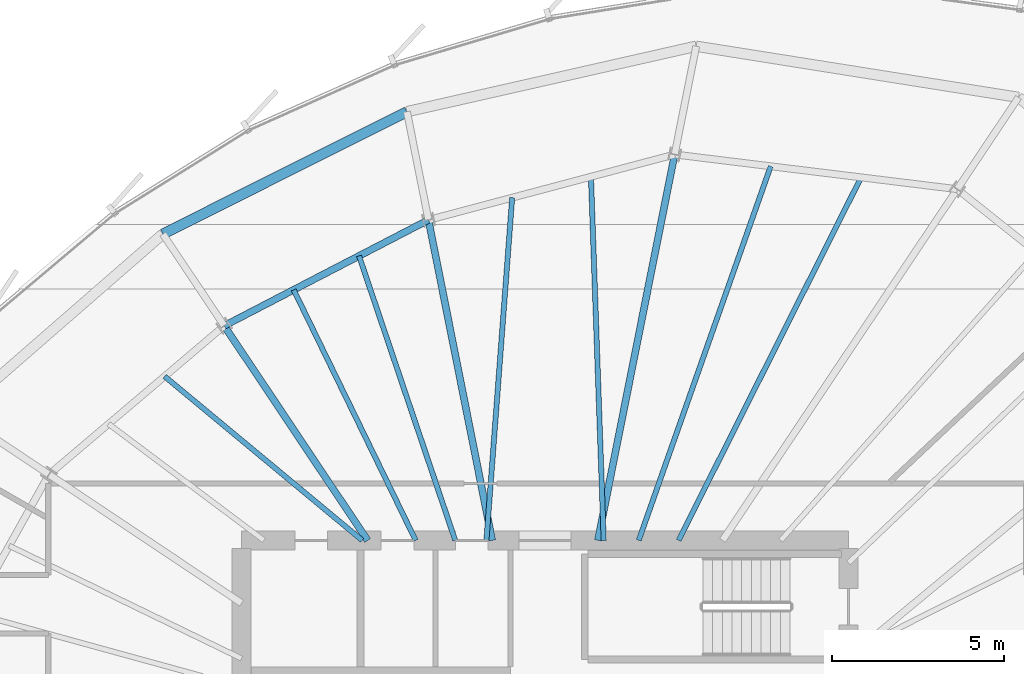
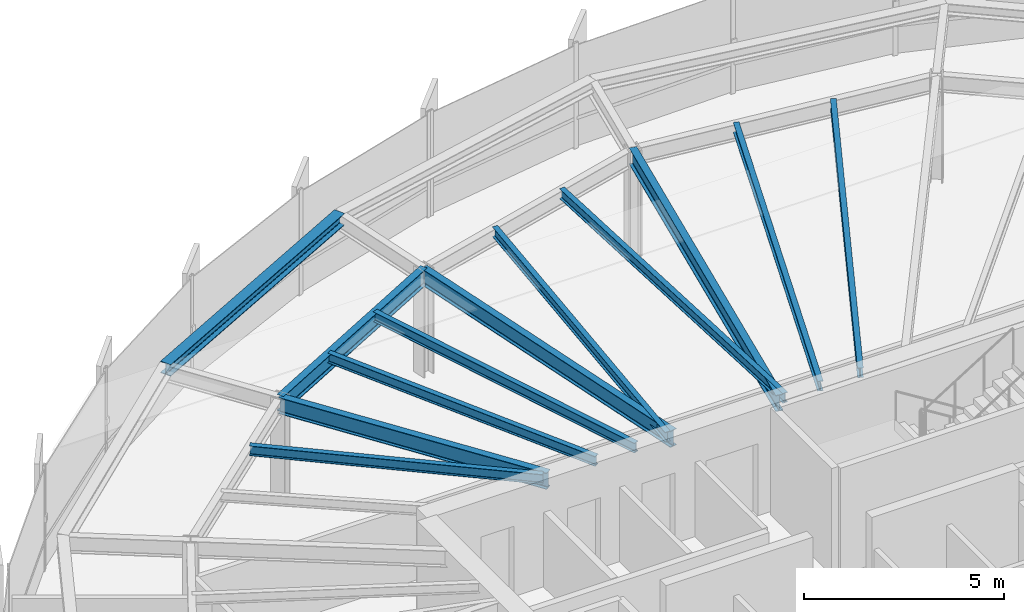
# One storey, part 22 of 35: 12 beams.
"""IFC4 building model written with IfcOpenShell, lengths in metres."""

from ifc_helpers import new_model, si_unit, direction, frame, origin, origin_2d, place, context, subcontext, project, spatial, i_section, extrude, source, transform, mapped, material, material_profile, profile_set, type_object, element, save


model = new_model("IFC4")

# Units and contexts
model_context = context("Model", 3, precision=1e-05, world=origin(), true_north=direction((0.0, 1.0)))
body_context = subcontext(model_context, "Body", "Model", "MODEL_VIEW")
ifc_project = project(units=[si_unit("LENGTHUNIT", "METRE"), si_unit("AREAUNIT", "SQUARE_METRE"), si_unit("VOLUMEUNIT", "CUBIC_METRE"), si_unit("PLANEANGLEUNIT", "RADIAN"), si_unit("MASSUNIT", "GRAM", prefix="KILO"), si_unit("THERMODYNAMICTEMPERATUREUNIT", "KELVIN")], contexts=[model_context])

# Site, building, storey
site_placement = place(None, origin())
site = spatial("IfcSite", under=ifc_project, at=site_placement, CompositionType="ELEMENT")
building_placement = place(site_placement, origin())
building = spatial("IfcBuilding", under=site, at=building_placement, Name="Kethvar Cultural Tower", CompositionType="ELEMENT")
storey_placement = place(building_placement, frame((0.0, 0.0, 179.89990234375)))
storey = spatial("IfcBuildingStorey", under=building, at=storey_placement, Name="L46", CompositionType="ELEMENT", Elevation=179.89990234375)

# Beams
ifc_material = material(Name="Steel S355J2", Category="steel")
ifc_material_profile_1 = material_profile(ifc_material, i_section(OverallWidth=0.199951171875, OverallDepth=0.5, WebThickness=0.01025390625, FlangeThickness=0.01611328125, FilletRadius=0.02099609375, at=origin_2d()), Name="Steel S355J2 — IPE500")
ifc_profile_set_1 = profile_set([ifc_material_profile_1], Name="Steel S355J2 — IPE500")
beam_type_1 = type_object("IfcBeamType", Name="BM-IPE500", PredefinedType="BEAM", material=ifc_profile_set_1)
shared_shape_1 = source(origin(), body_context, "Body", "SweptSolid", [
    extrude(i_section(OverallWidth=0.199951171875, OverallDepth=0.5, WebThickness=0.01025390625, FlangeThickness=0.01611328125, FilletRadius=0.02099609375, at=origin_2d()), origin(), (0.0, 0.0, 1.0), 11.40673828125),
])
beam_1_placement = place(storey_placement, frame((48.33154296875, 35.5, 3.008056640625), z_axis=(0.195091138918, 0.980785117911, 0.0), x_axis=(-0.980785117911, 0.195091138918, 0.0)))
element("IfcBeam", 1, at=beam_1_placement, inside=storey, type_object=beam_type_1, Name="L46 Primary Radial Beam RB-04", PredefinedType="BEAM", context=body_context, shape_type="MappedRepresentation", body=[
    mapped(shared_shape_1, transform((0.0, 0.0, 0.0), scale=1.0)),
])
shared_shape_2 = source(origin(), body_context, "Body", "SweptSolid", [
    extrude(i_section(OverallWidth=0.199951171875, OverallDepth=0.5, WebThickness=0.01025390625, FlangeThickness=0.01611328125, FilletRadius=0.02099609375, at=origin_2d()), origin(), (0.0, 0.0, 1.0), 9.47119140625),
])
beam_2_placement = place(storey_placement, frame((45.268310546875, 35.5, 3.008056640625), z_axis=(-0.195079990396, 0.980787335434, 0.0), x_axis=(-0.980787335434, -0.195079990396, 0.0)))
element("IfcBeam", 2, at=beam_2_placement, inside=storey, type_object=beam_type_1, Name="L46 Primary Radial Beam RB-05", PredefinedType="BEAM", context=body_context, shape_type="MappedRepresentation", body=[
    mapped(shared_shape_2, transform((0.0, 0.0, 0.0), scale=1.0)),
])
shared_shape_3 = source(origin(), body_context, "Body", "SweptSolid", [
    extrude(i_section(OverallWidth=0.199951171875, OverallDepth=0.5, WebThickness=0.01025390625, FlangeThickness=0.01611328125, FilletRadius=0.02099609375, at=origin_2d()), origin(), (0.0, 0.0, 1.0), 7.481201171875),
])
beam_3_placement = place(storey_placement, frame((41.655029296875, 35.5, 3.008056640625), z_axis=(-0.55555842186, 0.831477504146, 0.0), x_axis=(-0.831477504146, -0.55555842186, 0.0)))
element("IfcBeam", 3, at=beam_3_placement, inside=storey, type_object=beam_type_1, Name="L46 Primary Radial Beam RB-06", PredefinedType="BEAM", context=body_context, shape_type="MappedRepresentation", body=[
    mapped(shared_shape_3, transform((0.0, 0.0, 0.0), scale=1.0)),
])
ifc_material_profile_2 = material_profile(ifc_material, i_section(OverallWidth=0.14990234375, OverallDepth=0.300048828125, WebThickness=0.007080078125, FlangeThickness=0.0107421875, FilletRadius=0.014892578125, at=origin_2d()), Name="Steel S355J2 — IPE300")
ifc_profile_set_2 = profile_set([ifc_material_profile_2], Name="Steel S355J2 — IPE300")
beam_type_2 = type_object("IfcBeamType", Name="BM-J300", PredefinedType="JOIST", material=ifc_profile_set_2)
shared_shape_4 = source(origin(), body_context, "Body", "SweptSolid", [
    extrude(i_section(OverallWidth=0.14990234375, OverallDepth=0.300048828125, WebThickness=0.007080078125, FlangeThickness=0.0107421875, FilletRadius=0.014892578125, at=origin_2d()), origin(), (0.0, 0.0, 1.0), 11.77880859375),
])
beam_4_placement = place(storey_placement, frame((50.671630859375, 35.5, 3.108154296875), z_axis=(0.449218855458, 0.893421748057, 0.0), x_axis=(-0.893421748057, 0.449218855458, 0.0)))
element("IfcBeam", 4, at=beam_4_placement, inside=storey, type_object=beam_type_2, Name="L46 Composite Floor Joist J-03A", PredefinedType="JOIST", context=body_context, shape_type="MappedRepresentation", body=[
    mapped(shared_shape_4, transform((0.0, 0.0, 0.0), scale=1.0)),
])
shared_shape_5 = source(origin(), body_context, "Body", "SweptSolid", [
    extrude(i_section(OverallWidth=0.14990234375, OverallDepth=0.300048828125, WebThickness=0.007080078125, FlangeThickness=0.0107421875, FilletRadius=0.014892578125, at=origin_2d()), origin(), (0.0, 0.0, 1.0), 11.50048828125),
])
beam_5_placement = place(storey_placement, frame((49.51611328125, 35.5, 3.108154296875), z_axis=(0.332655768875, 0.943048322958, 0.0), x_axis=(-0.943048322958, 0.332655768875, 0.0)))
element("IfcBeam", 5, at=beam_5_placement, inside=storey, type_object=beam_type_2, Name="L46 Composite Floor Joist J-03B", PredefinedType="JOIST", context=body_context, shape_type="MappedRepresentation", body=[
    mapped(shared_shape_5, transform((0.0, 0.0, 0.0), scale=1.0)),
])
shared_shape_6 = source(origin(), body_context, "Body", "SweptSolid", [
    extrude(i_section(OverallWidth=0.14990234375, OverallDepth=0.300048828125, WebThickness=0.007080078125, FlangeThickness=0.0107421875, FilletRadius=0.014892578125, at=origin_2d()), origin(), (0.0, 0.0, 1.0), 10.54833984375),
])
beam_6_placement = place(storey_placement, frame((48.5, 35.5, 3.108154296875), z_axis=(-0.035017879941, 0.999386685965, 0.0), x_axis=(-0.999386685965, -0.035017879941, 0.0)))
element("IfcBeam", 6, at=beam_6_placement, inside=storey, type_object=beam_type_2, Name="L46 Composite Floor Joist J-04A", PredefinedType="JOIST", context=body_context, shape_type="MappedRepresentation", body=[
    mapped(shared_shape_6, transform((0.0, 0.0, 0.0), scale=1.0)),
])
shared_shape_7 = source(origin(), body_context, "Body", "SweptSolid", [
    extrude(i_section(OverallWidth=0.14990234375, OverallDepth=0.300048828125, WebThickness=0.007080078125, FlangeThickness=0.0107421875, FilletRadius=0.014892578125, at=origin_2d()), origin(), (0.0, 0.0, 1.0), 9.962646484375),
])
beam_7_placement = place(storey_placement, frame((45.10009765625, 35.5, 3.108154296875), z_axis=(0.074962964429, 0.99718631858, 0.0), x_axis=(-0.99718631858, 0.074962964429, 0.0)))
element("IfcBeam", 7, at=beam_7_placement, inside=storey, type_object=beam_type_2, Name="L46 Composite Floor Joist J-04B", PredefinedType="JOIST", context=body_context, shape_type="MappedRepresentation", body=[
    mapped(shared_shape_7, transform((0.0, 0.0, 0.0), scale=1.0)),
])
shared_shape_8 = source(origin(), body_context, "Body", "SweptSolid", [
    extrude(i_section(OverallWidth=0.199951171875, OverallDepth=0.5, WebThickness=0.01025390625, FlangeThickness=0.01611328125, FilletRadius=0.02099609375, at=origin_2d()), origin(), (0.0, 0.0, 1.0), 6.669921875),
])
beam_8_placement = place(storey_placement, frame((43.420654296875, 44.789306640625, 3.008056640625), z_axis=(-0.887861983948, -0.460109875421, 0.0), x_axis=(0.460109875421, -0.887861983948, 0.0)))
element("IfcBeam", 8, at=beam_8_placement, inside=storey, type_object=beam_type_1, Name="L46 Column Ring Tie Beam CR-05", PredefinedType="BEAM", context=body_context, shape_type="MappedRepresentation", body=[
    mapped(shared_shape_8, transform((0.0, 0.0, 0.0), scale=1.0)),
])
ifc_material_profile_3 = material_profile(ifc_material, i_section(OverallWidth=0.300048828125, OverallDepth=0.360107421875, WebThickness=0.012451171875, FlangeThickness=0.0224609375, FilletRadius=0.027099609375, at=origin_2d()), Name="Steel S355J2 — HEB360")
ifc_profile_set_3 = profile_set([ifc_material_profile_3], Name="Steel S355J2 — HEB360")
beam_type_3 = type_object("IfcBeamType", Name="BM-SP360", PredefinedType="SPANDREL", material=ifc_profile_set_3)
shared_shape_9 = source(origin(), body_context, "Body", "SweptSolid", [
    extrude(i_section(OverallWidth=0.300048828125, OverallDepth=0.360107421875, WebThickness=0.012451171875, FlangeThickness=0.0224609375, FilletRadius=0.027099609375, at=origin_2d()), origin(), (0.0, 0.0, 1.0), 7.91455078125),
])
beam_9_placement = place(storey_placement, frame((42.79638671875, 47.927734375, 3.078125), z_axis=(-0.893976371529, -0.44811410059, 0.0), x_axis=(0.44811410059, -0.893976371529, 0.0)))
element("IfcBeam", 9, at=beam_9_placement, inside=storey, type_object=beam_type_3, Name="L46 Perimeter Spandrel Beam SP-05", PredefinedType="SPANDREL", context=body_context, shape_type="MappedRepresentation", body=[
    mapped(shared_shape_9, transform((0.0, 0.0, 0.0), scale=1.0)),
])
shared_shape_10 = source(origin(), body_context, "Body", "SweptSolid", [
    extrude(i_section(OverallWidth=0.14990234375, OverallDepth=0.300048828125, WebThickness=0.007080078125, FlangeThickness=0.0107421875, FilletRadius=0.014892578125, at=origin_2d()), origin(), (0.0, 0.0, 1.0), 8.70458984375),
])
beam_10_placement = place(storey_placement, frame((44.19580078125, 35.5, 3.108154296875), z_axis=(-0.320356133074, 0.947297180404, 0.0), x_axis=(-0.947297180404, -0.320356133074, 0.0)))
element("IfcBeam", 10, at=beam_10_placement, inside=storey, type_object=beam_type_2, Name="L46 Composite Floor Joist J-05A", PredefinedType="JOIST", context=body_context, shape_type="MappedRepresentation", body=[
    mapped(shared_shape_10, transform((0.0, 0.0, 0.0), scale=1.0)),
])
shared_shape_11 = source(origin(), body_context, "Body", "SweptSolid", [
    extrude(i_section(OverallWidth=0.14990234375, OverallDepth=0.300048828125, WebThickness=0.007080078125, FlangeThickness=0.0107421875, FilletRadius=0.014892578125, at=origin_2d()), origin(), (0.0, 0.0, 1.0), 8.07958984375),
])
beam_11_placement = place(storey_placement, frame((43.0498046875, 35.5, 3.108154296875), z_axis=(-0.437846062021, 0.89904995744, 0.0), x_axis=(-0.89904995744, -0.437846062021, 0.0)))
element("IfcBeam", 11, at=beam_11_placement, inside=storey, type_object=beam_type_2, Name="L46 Composite Floor Joist J-05B", PredefinedType="JOIST", context=body_context, shape_type="MappedRepresentation", body=[
    mapped(shared_shape_11, transform((0.0, 0.0, 0.0), scale=1.0)),
])
shared_shape_12 = source(origin(), body_context, "Body", "SweptSolid", [
    extrude(i_section(OverallWidth=0.14990234375, OverallDepth=0.300048828125, WebThickness=0.007080078125, FlangeThickness=0.0107421875, FilletRadius=0.014892578125, at=origin_2d()), origin(), (0.0, 0.0, 1.0), 7.444580078125),
])
beam_12_placement = place(storey_placement, frame((41.5, 35.5, 3.108154296875), z_axis=(-0.769483166858, 0.638667093188, 0.0), x_axis=(-0.638667093188, -0.769483166858, 0.0)))
element("IfcBeam", 12, at=beam_12_placement, inside=storey, type_object=beam_type_2, Name="L46 Composite Floor Joist J-06A", PredefinedType="JOIST", context=body_context, shape_type="MappedRepresentation", body=[
    mapped(shared_shape_12, transform((0.0, 0.0, 0.0), scale=1.0)),
])

save(model, "model.ifc")
